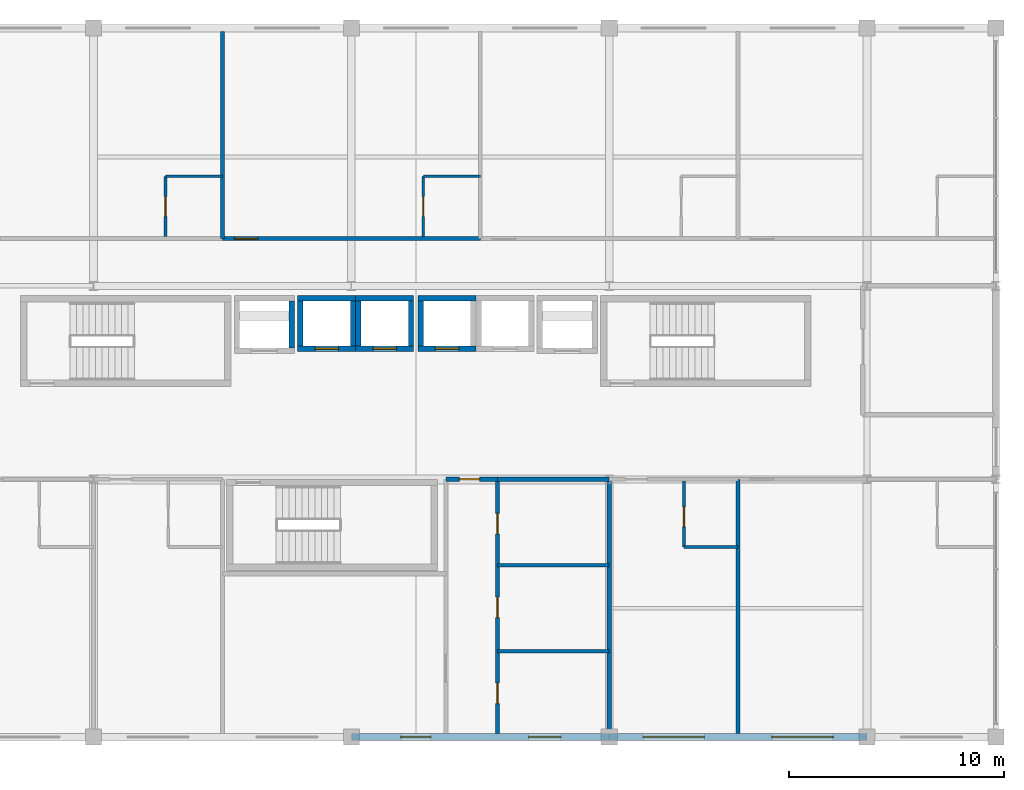
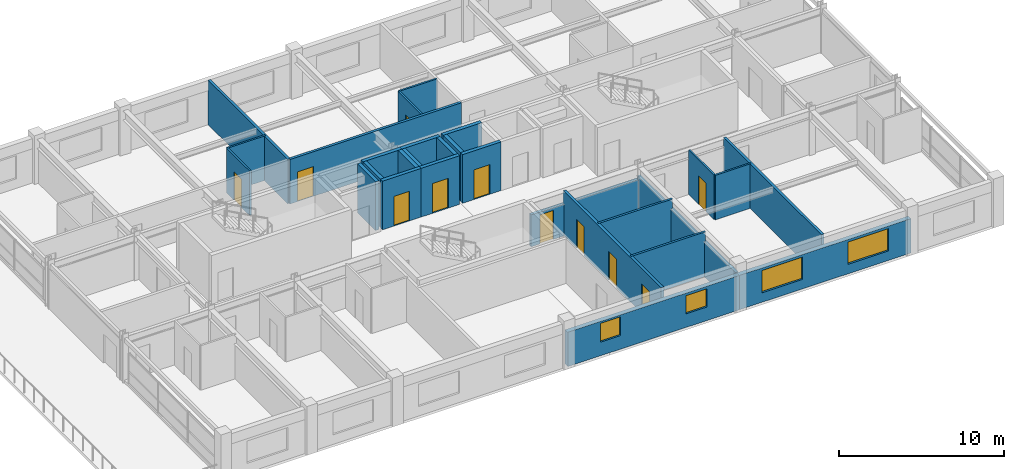
# One storey, part 18 of 21: 29 walls, 11 doors, 4 windows, 15 openings.
"""IFC4 building model written with IfcOpenShell, lengths in metres."""

from ifc_helpers import new_model, si_unit, direction, frame, frame_2d, origin, place, context, subcontext, project, spatial, rectangle, extrude, material, layer, layer_set, type_object, element, fill, save


model = new_model("IFC4")

# Units and contexts
model_context = context("Model", 3, precision=1e-05, world=origin(), true_north=direction((0.0, 1.0)))
body_context = subcontext(model_context, "Body", "Model", "MODEL_VIEW")
ifc_project = project(units=[si_unit("LENGTHUNIT", "METRE"), si_unit("AREAUNIT", "SQUARE_METRE"), si_unit("VOLUMEUNIT", "CUBIC_METRE"), si_unit("PLANEANGLEUNIT", "RADIAN"), si_unit("MASSUNIT", "GRAM", prefix="KILO")], contexts=[model_context])

# Site, building, storey
site_placement = place(None, origin())
site = spatial("IfcSite", under=ifc_project, at=site_placement, CompositionType="ELEMENT")
building_placement = place(site_placement, origin())
building = spatial("IfcBuilding", under=site, at=building_placement, Name="Kaldorvane Square Convention Centre", CompositionType="ELEMENT")
storey_placement = place(building_placement, frame((0.0, 0.0, 49.19999694824219)))
storey = spatial("IfcBuildingStorey", under=building, at=storey_placement, Name="L11", CompositionType="ELEMENT", Elevation=49.19999694824219)

# Wall, opening, door
ifc_material_1 = material(Name="Fire-Rated Gypsum Board on Acoustic Steel Studs", Category="steel")
ifc_layer_1 = layer(ifc_material_1, 0.125)
ifc_layer_set_1 = layer_set([ifc_layer_1], Name="Fire-Rated Gypsum Board on Acoustic Steel Studs")
wall_type_1 = type_object("IfcWallType", Name="WL-BATH-125", PredefinedType="PARTITIONING", material=ifc_layer_set_1)
wall_1_placement = place(storey_placement, frame((45.350006103515625, 107.28999328613281, 0.0), z_axis=(0.0, 0.0, 1.0), x_axis=(0.0, 1.0, 0.0)))
wall_1 = element("IfcWall", 1, at=wall_1_placement, inside=storey, type_object=wall_type_1, Name="En-Suite 1102 West Wall", PredefinedType="PARTITIONING", context=body_context, shape_type="SweptSolid", body=[
    extrude(rectangle(XDim=2.8100128173828125, YDim=0.125, at=frame_2d((1.404998779296875, 0.0))), origin(), (0.0, 0.0, 1.0), 3.290008544921875),
])
opening_1_placement = place(wall_1_placement, frame((0.9499969482421875, 0.0, 0.0)))
opening_1 = element("IfcOpeningElement", 2, at=opening_1_placement, cuts=wall_1, Name="Opening ID-12", PredefinedType="OPENING", context=body_context, shape_type="SweptSolid", body=[
    extrude(rectangle(XDim=0.9199981689453125, YDim=2.100006103515625, at=frame_2d((0.459991455078125, 1.0500030517578125))), frame((0.0, 0.0774993896484375, 0.0), z_axis=(0.0, -1.0, 0.0), x_axis=(1.0, 0.0, 0.0)), (0.0, 0.0, 1.0), 0.154998779296875),
])
ifc_material_2 = material(Name="Architectural Solid-Core White Oak")
door_type_1 = type_object("IfcDoorType", Name="DR-BATH-0920X2100", OperationType="SINGLE_SWING_RIGHT", PredefinedType="DOOR", material=ifc_material_2)
door_1_placement = place(opening_1_placement, origin())
door_1 = element("IfcDoor", 3, at=door_1_placement, inside=storey, type_object=door_type_1, Name="En-Suite Bathroom 1102 Door", OperationType="SINGLE_SWING_RIGHT", OverallHeight=2.100006103515625, OverallWidth=0.9199981689453125, PredefinedType="DOOR", context=body_context, shape_type="SweptSolid", body=[
    extrude(rectangle(XDim=0.9199981689453125, YDim=2.100006103515625, at=frame_2d((0.459991455078125, 1.0500030517578125))), frame((0.0, 0.024993896484375, 0.0), z_axis=(0.0, -1.0, 0.0), x_axis=(1.0, 0.0, 0.0)), (0.0, 0.0, 1.0), 0.0500030517578125),
])
fill(opening_1, door_1)

# Wall
wall_2_placement = place(storey_placement, frame((45.350006103515625, 110.10000610351562, 0.0), z_axis=(0.0, 0.0, 1.0), x_axis=(1.0, 0.0, 0.0)))
element("IfcWall", 4, at=wall_2_placement, inside=storey, type_object=wall_type_1, Name="En-Suite 1102 North Wall", PredefinedType="PARTITIONING", context=body_context, shape_type="SweptSolid", body=[
    extrude(rectangle(XDim=2.649993896484375, YDim=0.125, at=frame_2d((1.3249969482421875, 0.0))), origin(), (0.0, 0.0, 1.0), 3.290008544921875),
])

# Wall, opening, door
wall_3_placement = place(storey_placement, frame((57.350006103515625, 107.28999328613281, 0.0), z_axis=(0.0, 0.0, 1.0), x_axis=(0.0, 1.0, 0.0)))
wall_3 = element("IfcWall", 5, at=wall_3_placement, inside=storey, type_object=wall_type_1, Name="En-Suite 1103 West Wall", PredefinedType="PARTITIONING", context=body_context, shape_type="SweptSolid", body=[
    extrude(rectangle(XDim=2.8100128173828125, YDim=0.125, at=frame_2d((1.404998779296875, 0.0))), origin(), (0.0, 0.0, 1.0), 3.290008544921875),
])
opening_2_placement = place(wall_3_placement, frame((0.9499969482421875, 0.0, 0.0)))
opening_2 = element("IfcOpeningElement", 6, at=opening_2_placement, cuts=wall_3, Name="Opening ID-12", PredefinedType="OPENING", context=body_context, shape_type="SweptSolid", body=[
    extrude(rectangle(XDim=0.9199981689453125, YDim=2.100006103515625, at=frame_2d((0.459991455078125, 1.0500030517578125))), frame((0.0, 0.0774993896484375, 0.0), z_axis=(0.0, -1.0, 0.0), x_axis=(1.0, 0.0, 0.0)), (0.0, 0.0, 1.0), 0.154998779296875),
])
door_2_placement = place(opening_2_placement, origin())
door_2 = element("IfcDoor", 7, at=door_2_placement, inside=storey, type_object=door_type_1, Name="En-Suite Bathroom 1103 Door", OperationType="SINGLE_SWING_RIGHT", OverallHeight=2.100006103515625, OverallWidth=0.9199981689453125, PredefinedType="DOOR", context=body_context, shape_type="SweptSolid", body=[
    extrude(rectangle(XDim=0.9199981689453125, YDim=2.100006103515625, at=frame_2d((0.459991455078125, 1.0500030517578125))), frame((0.0, 0.024993896484375, 0.0), z_axis=(0.0, -1.0, 0.0), x_axis=(1.0, 0.0, 0.0)), (0.0, 0.0, 1.0), 0.0500030517578125),
])
fill(opening_2, door_2)

# Wall
wall_4_placement = place(storey_placement, frame((57.350006103515625, 110.10000610351562, 0.0), z_axis=(0.0, 0.0, 1.0), x_axis=(1.0, 0.0, 0.0)))
element("IfcWall", 8, at=wall_4_placement, inside=storey, type_object=wall_type_1, Name="En-Suite 1103 North Wall", PredefinedType="PARTITIONING", context=body_context, shape_type="SweptSolid", body=[
    extrude(rectangle(XDim=2.649993896484375, YDim=0.125, at=frame_2d((1.3249969482421875, 0.0))), origin(), (0.0, 0.0, 1.0), 3.290008544921875),
])

# Wall, opening, door
wall_5_placement = place(storey_placement, frame((69.47999572753906, 92.85000610351562, 0.0), z_axis=(0.0, 0.0, 1.0), x_axis=(0.0, 1.0, 0.0)))
wall_5 = element("IfcWall", 9, at=wall_5_placement, inside=storey, type_object=wall_type_1, Name="En-Suite 1109 West Wall", PredefinedType="PARTITIONING", context=body_context, shape_type="SweptSolid", body=[
    extrude(rectangle(XDim=3.05999755859375, YDim=0.125, at=frame_2d((1.529998779296875, 0.0))), origin(), (0.0, 0.0, 1.0), 3.290008544921875),
])
opening_3_placement = place(wall_5_placement, frame((0.9499969482421875, 0.0, 0.0)))
opening_3 = element("IfcOpeningElement", 10, at=opening_3_placement, cuts=wall_5, Name="Opening ID-12", PredefinedType="OPENING", context=body_context, shape_type="SweptSolid", body=[
    extrude(rectangle(XDim=0.9199981689453125, YDim=2.100006103515625, at=frame_2d((0.459991455078125, 1.0500030517578125))), frame((0.0, 0.0774993896484375, 0.0), z_axis=(0.0, -1.0, 0.0), x_axis=(1.0, 0.0, 0.0)), (0.0, 0.0, 1.0), 0.154998779296875),
])
door_3_placement = place(opening_3_placement, origin())
door_3 = element("IfcDoor", 11, at=door_3_placement, inside=storey, type_object=door_type_1, Name="En-Suite Bathroom 1109 Door", OperationType="SINGLE_SWING_RIGHT", OverallHeight=2.100006103515625, OverallWidth=0.9199981689453125, PredefinedType="DOOR", context=body_context, shape_type="SweptSolid", body=[
    extrude(rectangle(XDim=0.9199981689453125, YDim=2.100006103515625, at=frame_2d((0.459991455078125, 1.0500030517578125))), frame((0.0, 0.024993896484375, 0.0), z_axis=(0.0, -1.0, 0.0), x_axis=(1.0, 0.0, 0.0)), (0.0, 0.0, 1.0), 0.0500030517578125),
])
fill(opening_3, door_3)

# Wall
wall_6_placement = place(storey_placement, frame((69.47999572753906, 92.85000610351562, 0.0), z_axis=(0.0, 0.0, 1.0), x_axis=(1.0, 0.0, 0.0)))
element("IfcWall", 12, at=wall_6_placement, inside=storey, type_object=wall_type_1, Name="En-Suite 1109 South Wall", PredefinedType="PARTITIONING", context=body_context, shape_type="SweptSolid", body=[
    extrude(rectangle(XDim=2.5200042724609375, YDim=0.125, at=frame_2d((1.260009765625, 0.0))), origin(), (0.0, 0.0, 1.0), 3.290008544921875),
])

# Wall, opening, door
ifc_layer_2 = layer(ifc_material_1, 0.1999969482421875)
ifc_layer_set_2 = layer_set([ifc_layer_2], Name="Fire-Rated Gypsum Board on Acoustic Steel Studs")
wall_type_2 = type_object("IfcWallType", Name="WL-CORR-200", PredefinedType="PARTITIONING", material=ifc_layer_set_2)
wall_7_placement = place(storey_placement, frame((58.399993896484375, 96.0, 0.0), z_axis=(0.0, 0.0, 1.0), x_axis=(1.0, 0.0, 0.0)))
wall_7 = element("IfcWall", 13, at=wall_7_placement, inside=storey, type_object=wall_type_2, Name="Restroom Vestibule Entry Header (L11)", PredefinedType="PARTITIONING", context=body_context, shape_type="SweptSolid", body=[
    extrude(rectangle(XDim=2.4000091552734375, YDim=0.1999969482421875, at=frame_2d((1.20001220703125, 0.0))), origin(), (0.0, 0.0, 1.0), 2.3590087890625),
])
opening_4_placement = place(wall_7_placement, frame((0.625, 0.0, 0.0)))
opening_4 = element("IfcOpeningElement", 14, at=opening_4_placement, cuts=wall_7, Name="Opening ID-13", PredefinedType="OPENING", context=body_context, shape_type="SweptSolid", body=[
    extrude(rectangle(XDim=0.9499969482421875, YDim=2.149993896484375, at=frame_2d((0.475006103515625, 1.0749969482421875))), frame((0.0, 0.114990234375, 0.0), z_axis=(0.0, -1.0, 0.0), x_axis=(1.0, 0.0, 0.0)), (0.0, 0.0, 1.0), 0.2299957275390625),
])
door_type_2 = type_object("IfcDoorType", Name="DR-WC-0950X2150", OperationType="SINGLE_SWING_LEFT", PredefinedType="DOOR", material=ifc_material_2)
door_4_placement = place(opening_4_placement, origin())
door_4 = element("IfcDoor", 15, at=door_4_placement, inside=storey, type_object=door_type_2, Name="Restroom Vestibule Door (L11)", OperationType="SINGLE_SWING_LEFT", OverallHeight=2.149993896484375, OverallWidth=0.9499969482421875, PredefinedType="DOOR", context=body_context, shape_type="SweptSolid", body=[
    extrude(rectangle(XDim=0.9499969482421875, YDim=2.149993896484375, at=frame_2d((0.475006103515625, 1.0749969482421875))), frame((0.0, 0.024993896484375, 0.0), z_axis=(0.0, -1.0, 0.0), x_axis=(1.0, 0.0, 0.0)), (0.0, 0.0, 1.0), 0.0500030517578125),
])
fill(opening_4, door_4)

# Wall, openings, doors
wall_8_placement = place(storey_placement, frame((60.80000305175781, 84.16000366210938, 0.0), z_axis=(0.0, 0.0, 1.0), x_axis=(0.0, 1.0, 0.0)))
wall_8 = element("IfcWall", 16, at=wall_8_placement, inside=storey, type_object=wall_type_2, Name="Restroom Vestibule East Wall (L11)", PredefinedType="PARTITIONING", context=body_context, shape_type="SweptSolid", body=[
    extrude(rectangle(XDim=11.839996337890625, YDim=0.1999969482421875, at=frame_2d((5.9199981689453125, 0.0))), origin(), (0.0, 0.0, 1.0), 3.290008544921875),
])
opening_5_placement = place(wall_8_placement, frame((1.399993896484375, 0.0, 0.0)))
opening_5 = element("IfcOpeningElement", 17, at=opening_5_placement, cuts=wall_8, Name="Opening ID-13", PredefinedType="OPENING", context=body_context, shape_type="SweptSolid", body=[
    extrude(rectangle(XDim=0.9499969482421875, YDim=2.149993896484375, at=frame_2d((0.475006103515625, 1.0749969482421875))), frame((0.0, 0.114990234375, 0.0), z_axis=(0.0, -1.0, 0.0), x_axis=(1.0, 0.0, 0.0)), (0.0, 0.0, 1.0), 0.2299957275390625),
])
opening_6_placement = place(wall_8_placement, frame((5.399993896484375, 0.0, 0.0)))
opening_6 = element("IfcOpeningElement", 18, at=opening_6_placement, cuts=wall_8, Name="Opening ID-13", PredefinedType="OPENING", context=body_context, shape_type="SweptSolid", body=[
    extrude(rectangle(XDim=0.9499969482421875, YDim=2.149993896484375, at=frame_2d((0.475006103515625, 1.0749969482421875))), frame((0.0, 0.114990234375, 0.0), z_axis=(0.0, -1.0, 0.0), x_axis=(1.0, 0.0, 0.0)), (0.0, 0.0, 1.0), 0.2299957275390625),
])
opening_7_placement = place(wall_8_placement, frame((9.300003051757812, 0.0, 0.0)))
opening_7 = element("IfcOpeningElement", 19, at=opening_7_placement, cuts=wall_8, Name="Opening ID-13", PredefinedType="OPENING", context=body_context, shape_type="SweptSolid", body=[
    extrude(rectangle(XDim=0.9499969482421875, YDim=2.149993896484375, at=frame_2d((0.475006103515625, 1.0749969482421875))), frame((0.0, 0.114990234375, 0.0), z_axis=(0.0, -1.0, 0.0), x_axis=(1.0, 0.0, 0.0)), (0.0, 0.0, 1.0), 0.2299957275390625),
])
door_5_placement = place(opening_5_placement, origin())
door_5 = element("IfcDoor", 20, at=door_5_placement, inside=storey, type_object=door_type_2, Name="Accessible Restroom Door (L11)", OperationType="SINGLE_SWING_LEFT", OverallHeight=2.149993896484375, OverallWidth=0.9499969482421875, PredefinedType="DOOR", context=body_context, shape_type="SweptSolid", body=[
    extrude(rectangle(XDim=0.9499969482421875, YDim=2.149993896484375, at=frame_2d((0.475006103515625, 1.0749969482421875))), frame((0.0, 0.024993896484375, 0.0), z_axis=(0.0, -1.0, 0.0), x_axis=(1.0, 0.0, 0.0)), (0.0, 0.0, 1.0), 0.0500030517578125),
])
fill(opening_5, door_5)
door_6_placement = place(opening_6_placement, origin())
door_6 = element("IfcDoor", 21, at=door_6_placement, inside=storey, type_object=door_type_2, Name="Men's Restroom Door (L11)", OperationType="SINGLE_SWING_LEFT", OverallHeight=2.149993896484375, OverallWidth=0.9499969482421875, PredefinedType="DOOR", context=body_context, shape_type="SweptSolid", body=[
    extrude(rectangle(XDim=0.9499969482421875, YDim=2.149993896484375, at=frame_2d((0.475006103515625, 1.0749969482421875))), frame((0.0, 0.024993896484375, 0.0), z_axis=(0.0, -1.0, 0.0), x_axis=(1.0, 0.0, 0.0)), (0.0, 0.0, 1.0), 0.0500030517578125),
])
fill(opening_6, door_6)
door_7_placement = place(opening_7_placement, origin())
door_7 = element("IfcDoor", 22, at=door_7_placement, inside=storey, type_object=door_type_2, Name="Women's Restroom Door (L11)", OperationType="SINGLE_SWING_LEFT", OverallHeight=2.149993896484375, OverallWidth=0.9499969482421875, PredefinedType="DOOR", context=body_context, shape_type="SweptSolid", body=[
    extrude(rectangle(XDim=0.9499969482421875, YDim=2.149993896484375, at=frame_2d((0.475006103515625, 1.0749969482421875))), frame((0.0, 0.024993896484375, 0.0), z_axis=(0.0, -1.0, 0.0), x_axis=(1.0, 0.0, 0.0)), (0.0, 0.0, 1.0), 0.0500030517578125),
])
fill(opening_7, door_7)

# Walls
wall_9_placement = place(storey_placement, frame((66.0, 84.16000366210938, 0.0), z_axis=(0.0, 0.0, 1.0), x_axis=(0.0, 1.0, 0.0)))
element("IfcWall", 23, at=wall_9_placement, inside=storey, type_object=wall_type_2, Name="Restroom East Wall (L11)", PredefinedType="PARTITIONING", context=body_context, shape_type="SweptSolid", body=[
    extrude(rectangle(XDim=11.839996337890625, YDim=0.1999969482421875, at=frame_2d((5.9199981689453125, 0.0))), origin(), (0.0, 0.0, 1.0), 2.589996337890625),
])
wall_10_placement = place(storey_placement, frame((60.80000305175781, 96.0, 0.0), z_axis=(0.0, 0.0, 1.0), x_axis=(1.0, 0.0, 0.0)))
element("IfcWall", 24, at=wall_10_placement, inside=storey, type_object=wall_type_2, Name="Restroom North Wall (L11)", PredefinedType="PARTITIONING", context=body_context, shape_type="SweptSolid", body=[
    extrude(rectangle(XDim=5.1999969482421875, YDim=0.1999969482421875, at=frame_2d((2.600006103515625, 0.0))), origin(), (0.0, 0.0, 1.0), 2.3590087890625),
])

# Wall, openings, windows
ifc_material_3 = material(Name="Concrete f'c = 35 MPa (Normalweight)", Category="concrete")
ifc_layer_3 = layer(ifc_material_3, 0.32000732421875)
ifc_layer_set_3 = layer_set([ifc_layer_3], Name="Concrete f'c = 35 MPa (Normalweight)")
wall_type_3 = type_object("IfcWallType", Name="WL-EXT-320", PredefinedType="STANDARD", material=ifc_layer_set_3)
wall_11_placement = place(storey_placement, frame((54.0, 84.0, 0.0), z_axis=(0.0, 0.0, 1.0), x_axis=(1.0, 0.0, 0.0)))
wall_11 = element("IfcWall", 25, at=wall_11_placement, inside=storey, type_object=wall_type_3, Name="Hotel S Brutalist Facade Wall (L11)", PredefinedType="STANDARD", context=body_context, shape_type="SweptSolid", body=[
    extrude(rectangle(XDim=12.0, YDim=0.32000732421875, at=frame_2d((6.0, 0.0))), origin(), (0.0, 0.0, 1.0), 2.5359954833984375),
])
opening_8_placement = place(wall_11_placement, frame((2.3000030517578125, 0.0, 1.0)))
opening_8 = element("IfcOpeningElement", 26, at=opening_8_placement, cuts=wall_11, Name="Opening W-13", PredefinedType="OPENING", context=body_context, shape_type="SweptSolid", body=[
    extrude(rectangle(XDim=1.399993896484375, YDim=1.399993896484375, at=frame_2d((0.6999969482421875, 0.6999969482421875))), frame((0.0, 0.1750030517578125, 0.0), z_axis=(0.0, -1.0, 0.0), x_axis=(1.0, 0.0, 0.0)), (0.0, 0.0, 1.0), 0.350006103515625),
])
opening_9_placement = place(wall_11_placement, frame((8.25, 0.0, 1.0)))
opening_9 = element("IfcOpeningElement", 27, at=opening_9_placement, cuts=wall_11, Name="Opening W-14", PredefinedType="OPENING", context=body_context, shape_type="SweptSolid", body=[
    extrude(rectangle(XDim=1.5, YDim=1.350006103515625, at=frame_2d((0.75, 0.6750030517578125))), frame((0.0, 0.1750030517578125, 0.0), z_axis=(0.0, -1.0, 0.0), x_axis=(1.0, 0.0, 0.0)), (0.0, 0.0, 1.0), 0.350006103515625),
])
ifc_material_4 = material(Name="Anodized Aluminum and Low-E Insulated Glazing", Category="aluminium")
window_type_1 = type_object("IfcWindowType", Name="WN-HTL-1400X1400", PartitioningType="SINGLE_PANEL", PredefinedType="WINDOW", material=ifc_material_4)
window_1_placement = place(opening_8_placement, origin())
window_1 = element("IfcWindow", 28, at=window_1_placement, inside=storey, type_object=window_type_1, Name="Hotel S Window (L11)", OverallHeight=1.399993896484375, OverallWidth=1.399993896484375, PartitioningType="SINGLE_PANEL", PredefinedType="WINDOW", context=body_context, shape_type="SweptSolid", body=[
    extrude(rectangle(XDim=1.399993896484375, YDim=1.399993896484375, at=frame_2d((0.6999969482421875, 0.6999969482421875))), frame((0.0, 0.029998779296875, 0.0), z_axis=(0.0, -1.0, 0.0), x_axis=(1.0, 0.0, 0.0)), (0.0, 0.0, 1.0), 0.05999755859375),
])
fill(opening_8, window_1)
window_type_2 = type_object("IfcWindowType", Name="WN-HTL-1500X1350", PartitioningType="SINGLE_PANEL", PredefinedType="WINDOW", material=ifc_material_4)
window_2_placement = place(opening_9_placement, origin())
window_2 = element("IfcWindow", 29, at=window_2_placement, inside=storey, type_object=window_type_2, Name="Hotel S Window (L11)", OverallHeight=1.350006103515625, OverallWidth=1.5, PartitioningType="SINGLE_PANEL", PredefinedType="WINDOW", context=body_context, shape_type="SweptSolid", body=[
    extrude(rectangle(XDim=1.5, YDim=1.350006103515625, at=frame_2d((0.75, 0.6750030517578125))), frame((0.0, 0.029998779296875, 0.0), z_axis=(0.0, -1.0, 0.0), x_axis=(1.0, 0.0, 0.0)), (0.0, 0.0, 1.0), 0.05999755859375),
])
fill(opening_9, window_2)

wall_12_placement = place(storey_placement, frame((66.0, 84.0, 0.0), z_axis=(0.0, 0.0, 1.0), x_axis=(1.0, 0.0, 0.0)))
wall_12 = element("IfcWall", 30, at=wall_12_placement, inside=storey, type_object=wall_type_3, Name="Hotel S Brutalist Facade Wall (L11)", PredefinedType="STANDARD", context=body_context, shape_type="SweptSolid", body=[
    extrude(rectangle(XDim=12.0, YDim=0.32000732421875, at=frame_2d((6.0, 0.0))), origin(), (0.0, 0.0, 1.0), 2.5359954833984375),
])
opening_10_placement = place(wall_12_placement, frame((1.5749969482421875, 0.0, 0.6999969482421875)))
opening_10 = element("IfcOpeningElement", 31, at=opening_10_placement, cuts=wall_12, Name="Opening W-04", PredefinedType="OPENING", context=body_context, shape_type="SweptSolid", body=[
    extrude(rectangle(XDim=2.850006103515625, YDim=1.649993896484375, at=frame_2d((1.4250030517578125, 0.8249969482421875))), frame((0.0, 0.1750030517578125, 0.0), z_axis=(0.0, -1.0, 0.0), x_axis=(1.0, 0.0, 0.0)), (0.0, 0.0, 1.0), 0.350006103515625),
])
opening_11_placement = place(wall_12_placement, frame((7.5749969482421875, 0.0, 0.6999969482421875)))
opening_11 = element("IfcOpeningElement", 32, at=opening_11_placement, cuts=wall_12, Name="Opening W-04", PredefinedType="OPENING", context=body_context, shape_type="SweptSolid", body=[
    extrude(rectangle(XDim=2.850006103515625, YDim=1.649993896484375, at=frame_2d((1.4250030517578125, 0.8249969482421875))), frame((0.0, 0.1750030517578125, 0.0), z_axis=(0.0, -1.0, 0.0), x_axis=(1.0, 0.0, 0.0)), (0.0, 0.0, 1.0), 0.350006103515625),
])
window_type_3 = type_object("IfcWindowType", Name="WN-HTL-2850X1650", PartitioningType="TRIPLE_PANEL_VERTICAL", PredefinedType="WINDOW", material=ifc_material_4)
window_3_placement = place(opening_10_placement, origin())
window_3 = element("IfcWindow", 33, at=window_3_placement, inside=storey, type_object=window_type_3, Name="Hotel S Window (L11)", OverallHeight=1.649993896484375, OverallWidth=2.850006103515625, PartitioningType="TRIPLE_PANEL_VERTICAL", PredefinedType="WINDOW", context=body_context, shape_type="SweptSolid", body=[
    extrude(rectangle(XDim=2.850006103515625, YDim=1.649993896484375, at=frame_2d((1.4250030517578125, 0.8249969482421875))), frame((0.0, 0.029998779296875, 0.0), z_axis=(0.0, -1.0, 0.0), x_axis=(1.0, 0.0, 0.0)), (0.0, 0.0, 1.0), 0.05999755859375),
])
fill(opening_10, window_3)
window_4_placement = place(opening_11_placement, origin())
window_4 = element("IfcWindow", 34, at=window_4_placement, inside=storey, type_object=window_type_3, Name="Hotel S Window (L11)", OverallHeight=1.649993896484375, OverallWidth=2.850006103515625, PartitioningType="TRIPLE_PANEL_VERTICAL", PredefinedType="WINDOW", context=body_context, shape_type="SweptSolid", body=[
    extrude(rectangle(XDim=2.850006103515625, YDim=1.649993896484375, at=frame_2d((1.4250030517578125, 0.8249969482421875))), frame((0.0, 0.029998779296875, 0.0), z_axis=(0.0, -1.0, 0.0), x_axis=(1.0, 0.0, 0.0)), (0.0, 0.0, 1.0), 0.05999755859375),
])
fill(opening_11, window_4)

# Walls
ifc_layer_4 = layer(ifc_material_1, 0.149993896484375)
ifc_layer_set_4 = layer_set([ifc_layer_4], Name="Fire-Rated Gypsum Board on Acoustic Steel Studs")
wall_type_4 = type_object("IfcWallType", Name="WL-PART-150", PredefinedType="PARTITIONING", material=ifc_layer_set_4)
for number, where, z_axis, x_axis, name in (
    (35, (60.80000305175781, 88.0, 0.0), (0.0, 0.0, 1.0), (1.0, 0.0, 0.0), "Restroom Partition 1 (L11)"),
    (36, (60.80000305175781, 92.0, 0.0), (0.0, 0.0, 1.0), (1.0, 0.0, 0.0), "Restroom Partition 2 (L11)"),
):
    element("IfcWall", number, at=place(storey_placement, frame(where, z_axis=z_axis, x_axis=x_axis)), inside=storey, type_object=wall_type_4, Name=name, PredefinedType="PARTITIONING", context=body_context, shape_type="SweptSolid", body=[
        extrude(rectangle(XDim=5.1999969482421875, YDim=0.149993896484375, at=frame_2d((2.600006103515625, 0.0))), origin(), (0.0, 0.0, 1.0), 3.290008544921875),
    ])
ifc_material_5 = material(Name="Concrete f'c = 55 MPa (Normalweight)", Category="concrete")
ifc_layer_5 = layer(ifc_material_5, 0.3000030517578125)
ifc_layer_set_5 = layer_set([ifc_layer_5], Name="Concrete f'c = 55 MPa (Normalweight)")
wall_type_5 = type_object("IfcWallType", Name="WL-SHAFT-300", PredefinedType="SHEAR", material=ifc_layer_set_5)
wall_13_placement = place(storey_placement, frame((51.225006103515625, 102.10000610351562, 0.0), z_axis=(0.0, 0.0, 1.0), x_axis=(0.0, 1.0, 0.0)))
element("IfcWall", 37, at=wall_13_placement, inside=storey, type_object=wall_type_5, Name="Core Enclosure Wall lift:FSAE-01-E (L11)", PredefinedType="SHEAR", context=body_context, shape_type="SweptSolid", body=[
    extrude(rectangle(XDim=2.1999969482421875, YDim=0.25, at=frame_2d((1.100006103515625, 0.0))), origin(), (0.0, 0.0, 1.0), 3.600006103515625),
])

# Wall, opening, door
wall_14_placement = place(storey_placement, frame((51.5, 102.07499694824219, 0.0), z_axis=(0.0, 0.0, 1.0), x_axis=(1.0, 0.0, 0.0)))
wall_14 = element("IfcWall", 38, at=wall_14_placement, inside=storey, type_object=wall_type_5, Name="Core Enclosure Wall lift:EL-P1-S (L11)", PredefinedType="SHEAR", context=body_context, shape_type="SweptSolid", body=[
    extrude(rectangle(XDim=2.6999969482421875, YDim=0.25, at=frame_2d((1.350006103515625, 0.0))), origin(), (0.0, 0.0, 1.0), 3.600006103515625),
])
opening_12_placement = place(wall_14_placement, frame((0.8000030517578125, 0.0, 0.0)))
opening_12 = element("IfcOpeningElement", 39, at=opening_12_placement, cuts=wall_14, Name="Opening LD-01", PredefinedType="OPENING", context=body_context, shape_type="SweptSolid", body=[
    extrude(rectangle(XDim=1.100006103515625, YDim=2.1999969482421875, at=frame_2d((0.5500030517578125, 1.100006103515625))), frame((0.0, 0.1399993896484375, 0.0), z_axis=(0.0, -1.0, 0.0), x_axis=(1.0, 0.0, 0.0)), (0.0, 0.0, 1.0), 0.279998779296875),
])
ifc_material_6 = material(Name="Stainless Steel Elevator Door Assembly", Category="steel")
door_type_3 = type_object("IfcDoorType", Name="DR-LIFT-1100", OperationType="DOUBLE_DOOR_SLIDING", PredefinedType="DOOR", material=ifc_material_6)
door_8_placement = place(opening_12_placement, origin())
door_8 = element("IfcDoor", 40, at=door_8_placement, inside=storey, type_object=door_type_3, Name="Elevator Landing Door EL-P1 (L11)", OperationType="DOUBLE_DOOR_SLIDING", OverallHeight=2.1999969482421875, OverallWidth=1.100006103515625, PredefinedType="DOOR", context=body_context, shape_type="SweptSolid", body=[
    extrude(rectangle(XDim=1.100006103515625, YDim=2.1999969482421875, at=frame_2d((0.5500030517578125, 1.100006103515625))), frame((0.0, 0.024993896484375, 0.0), z_axis=(0.0, -1.0, 0.0), x_axis=(1.0, 0.0, 0.0)), (0.0, 0.0, 1.0), 0.0500030517578125),
])
fill(opening_12, door_8)

# Walls
wall_15_placement = place(storey_placement, frame((54.19999694824219, 104.42500305175781, 0.0), z_axis=(0.0, 0.0, 1.0), x_axis=(-1.0, 0.0, 0.0)))
element("IfcWall", 41, at=wall_15_placement, inside=storey, type_object=wall_type_5, Name="Core Enclosure Wall lift:EL-P1-N (L11)", PredefinedType="SHEAR", context=body_context, shape_type="SweptSolid", body=[
    extrude(rectangle(XDim=2.6999969482421875, YDim=0.25, at=frame_2d((1.350006103515625, 0.0))), origin(), (0.0, 0.0, 1.0), 3.600006103515625),
])
for number, where, z_axis, x_axis, name in (
    (42, (51.625, 104.30000305175781, 0.0), (0.0, 0.0, 1.0), (0.0, -1.0, 0.0), "Core Enclosure Wall lift:EL-P1-W (L11)"),
    (43, (54.07499694824219, 102.19999694824219, 0.0), (0.0, 0.0, 1.0), (0.0, 1.0, 0.0), "Core Enclosure Wall lift:EL-P1-E (L11)"),
):
    element("IfcWall", number, at=place(storey_placement, frame(where, z_axis=z_axis, x_axis=x_axis)), inside=storey, type_object=wall_type_5, Name=name, PredefinedType="SHEAR", context=body_context, shape_type="SweptSolid", body=[
        extrude(rectangle(XDim=2.100006103515625, YDim=0.25, at=frame_2d((1.0500030517578125, 0.0))), origin(), (0.0, 0.0, 1.0), 3.600006103515625),
    ])

# Wall, opening, door
wall_16_placement = place(storey_placement, frame((54.19999694824219, 102.07499694824219, 0.0), z_axis=(0.0, 0.0, 1.0), x_axis=(1.0, 0.0, 0.0)))
wall_16 = element("IfcWall", 44, at=wall_16_placement, inside=storey, type_object=wall_type_5, Name="Core Enclosure Wall lift:EL-P2-S (L11)", PredefinedType="SHEAR", context=body_context, shape_type="SweptSolid", body=[
    extrude(rectangle(XDim=2.6999969482421875, YDim=0.25, at=frame_2d((1.350006103515625, 0.0))), origin(), (0.0, 0.0, 1.0), 3.600006103515625),
])
opening_13_placement = place(wall_16_placement, frame((0.8000030517578125, 0.0, 0.0)))
opening_13 = element("IfcOpeningElement", 45, at=opening_13_placement, cuts=wall_16, Name="Opening LD-01", PredefinedType="OPENING", context=body_context, shape_type="SweptSolid", body=[
    extrude(rectangle(XDim=1.100006103515625, YDim=2.1999969482421875, at=frame_2d((0.5500030517578125, 1.100006103515625))), frame((0.0, 0.1399993896484375, 0.0), z_axis=(0.0, -1.0, 0.0), x_axis=(1.0, 0.0, 0.0)), (0.0, 0.0, 1.0), 0.279998779296875),
])
door_9_placement = place(opening_13_placement, origin())
door_9 = element("IfcDoor", 46, at=door_9_placement, inside=storey, type_object=door_type_3, Name="Elevator Landing Door EL-P2 (L11)", OperationType="DOUBLE_DOOR_SLIDING", OverallHeight=2.1999969482421875, OverallWidth=1.100006103515625, PredefinedType="DOOR", context=body_context, shape_type="SweptSolid", body=[
    extrude(rectangle(XDim=1.100006103515625, YDim=2.1999969482421875, at=frame_2d((0.5500030517578125, 1.100006103515625))), frame((0.0, 0.024993896484375, 0.0), z_axis=(0.0, -1.0, 0.0), x_axis=(1.0, 0.0, 0.0)), (0.0, 0.0, 1.0), 0.0500030517578125),
])
fill(opening_13, door_9)

# Walls
wall_17_placement = place(storey_placement, frame((56.899993896484375, 104.42500305175781, 0.0), z_axis=(0.0, 0.0, 1.0), x_axis=(-1.0, 0.0, 0.0)))
element("IfcWall", 47, at=wall_17_placement, inside=storey, type_object=wall_type_5, Name="Core Enclosure Wall lift:EL-P2-N (L11)", PredefinedType="SHEAR", context=body_context, shape_type="SweptSolid", body=[
    extrude(rectangle(XDim=2.6999969482421875, YDim=0.25, at=frame_2d((1.350006103515625, 0.0))), origin(), (0.0, 0.0, 1.0), 3.600006103515625),
])
for number, where, z_axis, x_axis, name in (
    (48, (54.32499694824219, 104.30000305175781, 0.0), (0.0, 0.0, 1.0), (0.0, -1.0, 0.0), "Core Enclosure Wall lift:EL-P2-W (L11)"),
    (49, (56.774993896484375, 102.19999694824219, 0.0), (0.0, 0.0, 1.0), (0.0, 1.0, 0.0), "Core Enclosure Wall lift:EL-P2-E (L11)"),
):
    element("IfcWall", number, at=place(storey_placement, frame(where, z_axis=z_axis, x_axis=x_axis)), inside=storey, type_object=wall_type_5, Name=name, PredefinedType="SHEAR", context=body_context, shape_type="SweptSolid", body=[
        extrude(rectangle(XDim=2.100006103515625, YDim=0.25, at=frame_2d((1.0500030517578125, 0.0))), origin(), (0.0, 0.0, 1.0), 3.600006103515625),
    ])

# Wall, opening, door
wall_18_placement = place(storey_placement, frame((57.100006103515625, 102.07499694824219, 0.0), z_axis=(0.0, 0.0, 1.0), x_axis=(1.0, 0.0, 0.0)))
wall_18 = element("IfcWall", 50, at=wall_18_placement, inside=storey, type_object=wall_type_5, Name="Core Enclosure Wall lift:EL-P3-S (L11)", PredefinedType="SHEAR", context=body_context, shape_type="SweptSolid", body=[
    extrude(rectangle(XDim=2.6999969482421875, YDim=0.25, at=frame_2d((1.350006103515625, 0.0))), origin(), (0.0, 0.0, 1.0), 3.600006103515625),
])
opening_14_placement = place(wall_18_placement, frame((0.8000030517578125, 0.0, 0.0)))
opening_14 = element("IfcOpeningElement", 51, at=opening_14_placement, cuts=wall_18, Name="Opening LD-01", PredefinedType="OPENING", context=body_context, shape_type="SweptSolid", body=[
    extrude(rectangle(XDim=1.100006103515625, YDim=2.1999969482421875, at=frame_2d((0.5500030517578125, 1.100006103515625))), frame((0.0, 0.1399993896484375, 0.0), z_axis=(0.0, -1.0, 0.0), x_axis=(1.0, 0.0, 0.0)), (0.0, 0.0, 1.0), 0.279998779296875),
])
door_10_placement = place(opening_14_placement, origin())
door_10 = element("IfcDoor", 52, at=door_10_placement, inside=storey, type_object=door_type_3, Name="Elevator Landing Door EL-P3 (L11)", OperationType="DOUBLE_DOOR_SLIDING", OverallHeight=2.1999969482421875, OverallWidth=1.100006103515625, PredefinedType="DOOR", context=body_context, shape_type="SweptSolid", body=[
    extrude(rectangle(XDim=1.100006103515625, YDim=2.1999969482421875, at=frame_2d((0.5500030517578125, 1.100006103515625))), frame((0.0, 0.024993896484375, 0.0), z_axis=(0.0, -1.0, 0.0), x_axis=(1.0, 0.0, 0.0)), (0.0, 0.0, 1.0), 0.0500030517578125),
])
fill(opening_14, door_10)

# Walls
wall_19_placement = place(storey_placement, frame((59.80000305175781, 104.42500305175781, 0.0), z_axis=(0.0, 0.0, 1.0), x_axis=(-1.0, 0.0, 0.0)))
element("IfcWall", 53, at=wall_19_placement, inside=storey, type_object=wall_type_5, Name="Core Enclosure Wall lift:EL-P3-N (L11)", PredefinedType="SHEAR", context=body_context, shape_type="SweptSolid", body=[
    extrude(rectangle(XDim=2.6999969482421875, YDim=0.25, at=frame_2d((1.350006103515625, 0.0))), origin(), (0.0, 0.0, 1.0), 3.600006103515625),
])
wall_20_placement = place(storey_placement, frame((57.225006103515625, 104.30000305175781, 0.0), z_axis=(0.0, 0.0, 1.0), x_axis=(0.0, -1.0, 0.0)))
element("IfcWall", 54, at=wall_20_placement, inside=storey, type_object=wall_type_5, Name="Core Enclosure Wall lift:EL-P3-W (L11)", PredefinedType="SHEAR", context=body_context, shape_type="SweptSolid", body=[
    extrude(rectangle(XDim=2.100006103515625, YDim=0.25, at=frame_2d((1.0500030517578125, 0.0))), origin(), (0.0, 0.0, 1.0), 3.600006103515625),
])
ifc_layer_6 = layer(ifc_material_1, 0.17999267578125)
ifc_layer_set_6 = layer_set([ifc_layer_6], Name="Fire-Rated Gypsum Board on Acoustic Steel Studs")
wall_type_6 = type_object("IfcWallType", Name="WL-UNIT-180", PredefinedType="PARTITIONING", material=ifc_layer_set_6)
wall_21_placement = place(storey_placement, frame((48.0, 107.19999694824219, 0.0), z_axis=(0.0, 0.0, 1.0), x_axis=(0.0, 1.0, 0.0)))
element("IfcWall", 55, at=wall_21_placement, inside=storey, type_object=wall_type_6, Name="Guestroom Demising Wall 1102", PredefinedType="PARTITIONING", context=body_context, shape_type="SweptSolid", body=[
    extrude(rectangle(XDim=9.639999389648438, YDim=0.17999267578125, at=frame_2d((4.82000732421875, 0.0))), origin(), (0.0, 0.0, 1.0), 3.290008544921875),
])

# Wall, opening, door
wall_22_placement = place(storey_placement, frame((48.0, 107.19999694824219, 0.0), z_axis=(0.0, 0.0, 1.0), x_axis=(1.0, 0.0, 0.0)))
wall_22 = element("IfcWall", 56, at=wall_22_placement, inside=storey, type_object=wall_type_6, Name="Presidential Suite 1103 Corridor Wall", PredefinedType="PARTITIONING", context=body_context, shape_type="SweptSolid", body=[
    extrude(rectangle(XDim=12.0, YDim=0.17999267578125, at=frame_2d((6.0, 0.0))), origin(), (0.0, 0.0, 1.0), 3.290008544921875),
])
opening_15_placement = place(wall_22_placement, frame((0.5500030517578125, 0.0, 0.0)))
opening_15 = element("IfcOpeningElement", 57, at=opening_15_placement, cuts=wall_22, Name="Opening ID-11", PredefinedType="OPENING", context=body_context, shape_type="SweptSolid", body=[
    extrude(rectangle(XDim=1.100006103515625, YDim=2.1999969482421875, at=frame_2d((0.5500030517578125, 1.100006103515625))), frame((0.0, 0.1049957275390625, 0.0), z_axis=(0.0, -1.0, 0.0), x_axis=(1.0, 0.0, 0.0)), (0.0, 0.0, 1.0), 0.209991455078125),
])
door_type_4 = type_object("IfcDoorType", Name="DR-SUITE-1100X2200", OperationType="SINGLE_SWING_LEFT", PredefinedType="DOOR", material=ifc_material_2)
door_11_placement = place(opening_15_placement, origin())
door_11 = element("IfcDoor", 58, at=door_11_placement, inside=storey, type_object=door_type_4, Name="Presidential Suite 1103 Entry Door", OperationType="SINGLE_SWING_LEFT", OverallHeight=2.1999969482421875, OverallWidth=1.100006103515625, PredefinedType="DOOR", context=body_context, shape_type="SweptSolid", body=[
    extrude(rectangle(XDim=1.100006103515625, YDim=2.1999969482421875, at=frame_2d((0.5500030517578125, 1.100006103515625))), frame((0.0, 0.024993896484375, 0.0), z_axis=(0.0, -1.0, 0.0), x_axis=(1.0, 0.0, 0.0)), (0.0, 0.0, 1.0), 0.0500030517578125),
])
fill(opening_15, door_11)

# Wall
wall_23_placement = place(storey_placement, frame((72.0, 84.16000366210938, 0.0), z_axis=(0.0, 0.0, 1.0), x_axis=(0.0, 1.0, 0.0)))
element("IfcWall", 59, at=wall_23_placement, inside=storey, type_object=wall_type_6, Name="Guestroom Demising Wall 1109", PredefinedType="PARTITIONING", context=body_context, shape_type="SweptSolid", body=[
    extrude(rectangle(XDim=11.839996337890625, YDim=0.17999267578125, at=frame_2d((5.9199981689453125, 0.0))), origin(), (0.0, 0.0, 1.0), 3.290008544921875),
])

save(model, "model.ifc")
